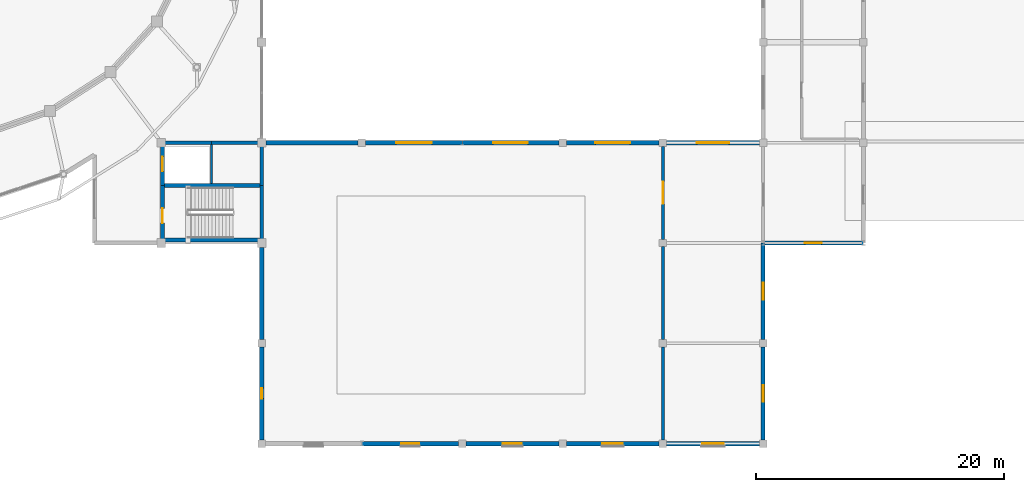
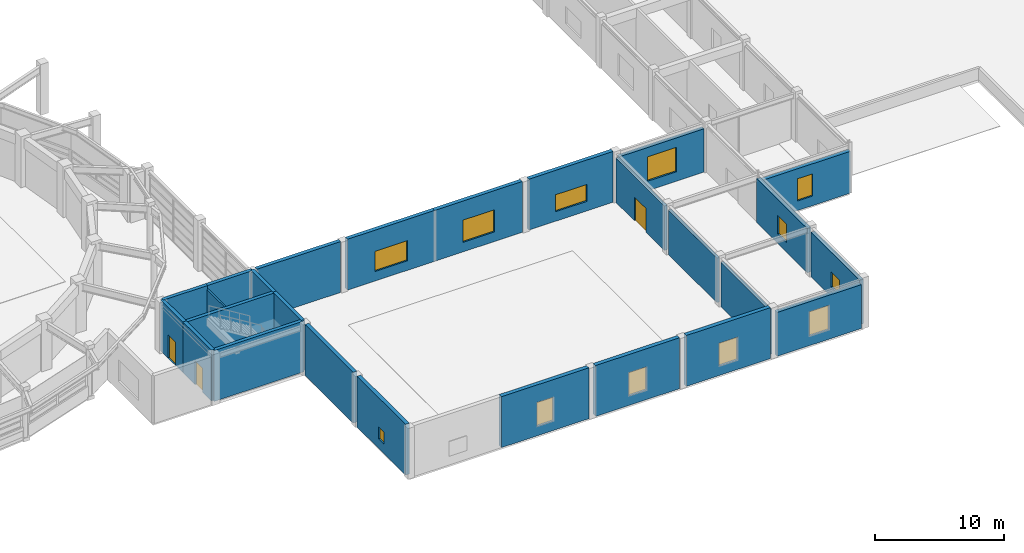
# One storey, part 37 of 56: 26 walls, 12 windows, 3 doors, 15 openings.
"""IFC4 building model written with IfcOpenShell, lengths in metres."""

from ifc_helpers import new_model, si_unit, direction, frame, frame_2d, origin, place, context, subcontext, project, spatial, rectangle, extrude, material, layer, layer_set, type_object, element, fill, save


model = new_model("IFC4")

# Units and contexts
model_context = context("Model", 3, precision=1e-05, world=origin(), true_north=direction((0.0, 1.0)))
body_context = subcontext(model_context, "Body", "Model", "MODEL_VIEW")
ifc_project = project(units=[si_unit("LENGTHUNIT", "METRE"), si_unit("AREAUNIT", "SQUARE_METRE"), si_unit("VOLUMEUNIT", "CUBIC_METRE"), si_unit("PLANEANGLEUNIT", "RADIAN"), si_unit("MASSUNIT", "GRAM", prefix="KILO")], contexts=[model_context])

# Site, building, storey
site_placement = place(None, origin())
site = spatial("IfcSite", under=ifc_project, at=site_placement, CompositionType="ELEMENT")
building_placement = place(site_placement, origin())
building = spatial("IfcBuilding", under=site, at=building_placement, Name="Parian Resonance Hall", CompositionType="ELEMENT")
storey_placement = place(building_placement, frame((0.0, 0.0, 5.39990234375)))
storey = spatial("IfcBuildingStorey", under=building, at=storey_placement, Name="L01", CompositionType="ELEMENT", Elevation=5.39990234375)

# Wall, opening, door
ifc_material_1 = material(Name="Concrete C40/50", Category="concrete")
ifc_layer_1 = layer(ifc_material_1, 0.31005859375)
ifc_layer_set_1 = layer_set([ifc_layer_1], Name="Concrete C40/50")
wall_type_1 = type_object("IfcWallType", Name="CW310", PredefinedType="SHEAR", material=ifc_layer_set_1)
wall_1_placement = place(storey_placement, frame((64.889892578125, 16.449951171875, 0.0), z_axis=(0.0, 0.0, 1.0), x_axis=(0.0, 1.0, 0.0)))
wall_1 = element("IfcWall", 1, at=wall_1_placement, inside=storey, type_object=wall_type_1, Name="Core K3 stairwell west shear wall L01", PredefinedType="SHEAR", context=body_context, shape_type="SweptSolid", body=[
    extrude(rectangle(XDim=4.400146484375, YDim=0.31005859375, at=frame_2d((2.2001953125, 0.0))), origin(), (0.0, 0.0, 1.0), 4.800048828125),
])
opening_1_placement = place(wall_1_placement, frame((1.35009765625, 0.0, 0.0)))
opening_1 = element("IfcOpeningElement", 2, at=opening_1_placement, cuts=wall_1, Name="Opening FD-01", PredefinedType="OPENING", context=body_context, shape_type="SweptSolid", body=[
    extrude(rectangle(XDim=1.199951171875, YDim=2.25, at=frame_2d((0.60009765625, 1.125))), frame((0.0, 0.1650390625, 0.0), z_axis=(0.0, -1.0, 0.0), x_axis=(1.0, 0.0, 0.0)), (0.0, 0.0, 1.0), 0.330078125),
])
ifc_material_2 = material(Name="Fire-rated acoustic steel and narra timber door", Category="steel")
door_type_1 = type_object("IfcDoorType", Name="FD-01", OperationType="NOTDEFINED", PredefinedType="DOOR", material=ifc_material_2)
door_1_placement = place(opening_1_placement, origin())
door_1 = element("IfcDoor", 3, at=door_1_placement, inside=storey, type_object=door_type_1, Name="Exit stair ST-03 fire door L01", OperationType="SINGLE_SWING_LEFT", OverallHeight=2.25, OverallWidth=1.199951171875, PredefinedType="DOOR", context=body_context, shape_type="SweptSolid", body=[
    extrude(rectangle(XDim=1.199951171875, YDim=2.25, at=frame_2d((0.60009765625, 1.125))), frame((0.0, 0.02490234375, 0.0), z_axis=(0.0, -1.0, 0.0), x_axis=(1.0, 0.0, 0.0)), (0.0, 0.0, 1.0), 0.050048828125),
])
fill(opening_1, door_1)

wall_2_placement = place(storey_placement, frame((64.889892578125, 20.85009765625, 0.0), z_axis=(0.0, 0.0, 1.0), x_axis=(0.0, 1.0, 0.0)))
wall_2 = element("IfcWall", 4, at=wall_2_placement, inside=storey, type_object=wall_type_1, Name="Core K3 lift shaft west shear wall L01", PredefinedType="SHEAR", context=body_context, shape_type="SweptSolid", body=[
    extrude(rectangle(XDim=3.449951171875, YDim=0.31005859375, at=frame_2d((1.72509765625, 0.0))), origin(), (0.0, 0.0, 1.0), 4.800048828125),
])
opening_2_placement = place(wall_2_placement, frame((1.125, 0.0, 0.0)))
opening_2 = element("IfcOpeningElement", 5, at=opening_2_placement, cuts=wall_2, Name="Opening LD-01", PredefinedType="OPENING", context=body_context, shape_type="SweptSolid", body=[
    extrude(rectangle(XDim=1.199951171875, YDim=2.199951171875, at=frame_2d((0.60009765625, 1.10009765625))), frame((0.0, 0.1650390625, 0.0), z_axis=(0.0, -1.0, 0.0), x_axis=(1.0, 0.0, 0.0)), (0.0, 0.0, 1.0), 0.330078125),
])
ifc_material_3 = material(Name="Stainless steel and bronze elevator cab", Category="steel")
door_type_2 = type_object("IfcDoorType", Name="DOOR-LIFT-1200x2200", OperationType="SLIDING_TO_LEFT", PredefinedType="DOOR", material=ifc_material_3)
door_2_placement = place(opening_2_placement, origin())
door_2 = element("IfcDoor", 6, at=door_2_placement, inside=storey, type_object=door_type_2, Name="Lift LF-04 sliding landing door L01", OperationType="SLIDING_TO_LEFT", OverallHeight=2.199951171875, OverallWidth=1.199951171875, PredefinedType="DOOR", context=body_context, shape_type="SweptSolid", body=[
    extrude(rectangle(XDim=1.199951171875, YDim=2.199951171875, at=frame_2d((0.60009765625, 1.10009765625))), frame((0.0, 0.02490234375, 0.0), z_axis=(0.0, -1.0, 0.0), x_axis=(1.0, 0.0, 0.0)), (0.0, 0.0, 1.0), 0.050048828125),
])
fill(opening_2, door_2)

# Walls
wall_3_placement = place(storey_placement, frame((64.889892578125, 24.300048828125, 0.0), z_axis=(0.0, 0.0, 1.0), x_axis=(1.0, 0.0, 0.0)))
element("IfcWall", 7, at=wall_3_placement, inside=storey, type_object=wall_type_1, Name="Core K3 north-west shaft wall L01", PredefinedType="SHEAR", context=body_context, shape_type="SweptSolid", body=[
    extrude(rectangle(XDim=3.960205078125, YDim=0.31005859375, at=frame_2d((1.97998046875, 0.0))), origin(), (0.0, 0.0, 1.0), 4.800048828125),
])
wall_4_placement = place(storey_placement, frame((68.85009765625, 24.300048828125, 0.0), z_axis=(0.0, 0.0, 1.0), x_axis=(1.0, 0.0, 0.0)))
element("IfcWall", 8, at=wall_4_placement, inside=storey, type_object=wall_type_1, Name="Core K3 north-east shaft wall L01", PredefinedType="SHEAR", context=body_context, shape_type="SweptSolid", body=[
    extrude(rectangle(XDim=4.059814453125, YDim=0.31005859375, at=frame_2d((2.02978515625, 0.0))), origin(), (0.0, 0.0, 1.0), 4.800048828125),
])
wall_5_placement = place(storey_placement, frame((72.909912109375, 24.300048828125, 0.0), z_axis=(0.0, 0.0, 1.0), x_axis=(0.0, -1.0, 0.0)))
element("IfcWall", 9, at=wall_5_placement, inside=storey, type_object=wall_type_1, Name="Core K3 east shaft wall L01", PredefinedType="SHEAR", context=body_context, shape_type="SweptSolid", body=[
    extrude(rectangle(XDim=3.449951171875, YDim=0.31005859375, at=frame_2d((1.72509765625, 0.0))), origin(), (0.0, 0.0, 1.0), 4.800048828125),
])
wall_6_placement = place(storey_placement, frame((72.909912109375, 20.85009765625, 0.0), z_axis=(0.0, 0.0, 1.0), x_axis=(0.0, -1.0, 0.0)))
element("IfcWall", 10, at=wall_6_placement, inside=storey, type_object=wall_type_1, Name="Core K3 stairwell east wall L01", PredefinedType="SHEAR", context=body_context, shape_type="SweptSolid", body=[
    extrude(rectangle(XDim=4.400146484375, YDim=0.31005859375, at=frame_2d((2.2001953125, 0.0))), origin(), (0.0, 0.0, 1.0), 4.800048828125),
])
for number, where, z_axis, x_axis, name in (
    (11, (72.909912109375, 16.449951171875, 0.0), (0.0, 0.0, 1.0), (-1.0, 0.0, 0.0), "Core K3 stairwell south wall L01"),
    (12, (64.889892578125, 20.85009765625, 0.0), (0.0, 0.0, 1.0), (1.0, 0.0, 0.0), "Core K3 stair-lift divider wall L01"),
):
    element("IfcWall", number, at=place(storey_placement, frame(where, z_axis=z_axis, x_axis=x_axis)), inside=storey, type_object=wall_type_1, Name=name, PredefinedType="SHEAR", context=body_context, shape_type="SweptSolid", body=[
        extrude(rectangle(XDim=8.02001953125, YDim=0.31005859375, at=frame_2d((4.010009765625, 0.0))), origin(), (0.0, 0.0, 1.0), 4.800048828125),
    ])

# Wall, opening, window
ifc_material_4 = material(Name="Concrete C35/45 with Carcar coral-limestone ashlar", Category="masonry")
ifc_layer_2 = layer(ifc_material_4, 0.340087890625)
ifc_layer_set_2 = layer_set([ifc_layer_2], Name="Concrete C35/45 with Carcar coral-limestone ashlar")
wall_type_2 = type_object("IfcWallType", Name="EW-STONE-340", PredefinedType="SOLIDWALL", material=ifc_layer_set_2)
wall_7_placement = place(storey_placement, frame((113.39990234375, 0.300048828125, 0.0), z_axis=(0.0, 0.0, 1.0), x_axis=(0.0, 1.0, 0.0)))
wall_7 = element("IfcWall", 13, at=wall_7_placement, inside=storey, type_object=wall_type_2, Name="Perimeter closure wall L01", PredefinedType="SOLIDWALL", context=body_context, shape_type="SweptSolid", body=[
    extrude(rectangle(XDim=7.5, YDim=0.340087890625, at=frame_2d((3.75, 0.0))), origin(), (0.0, 0.0, 1.0), 4.197021484375),
])
opening_3_placement = place(wall_7_placement, frame((3.074951171875, 0.0, 0.89990234375)))
opening_3 = element("IfcOpeningElement", 14, at=opening_3_placement, cuts=wall_7, Name="Opening WN-17", PredefinedType="OPENING", context=body_context, shape_type="SweptSolid", body=[
    extrude(rectangle(XDim=1.35009765625, YDim=1.449951171875, at=frame_2d((0.675048828125, 0.72509765625))), frame((0.0, 0.179931640625, 0.0), z_axis=(0.0, -1.0, 0.0), x_axis=(1.0, 0.0, 0.0)), (0.0, 0.0, 1.0), 0.360107421875),
])
ifc_material_5 = material(Name="Acoustic laminated double glazing", Category="glass")
window_type_1 = type_object("IfcWindowType", Name="WIN-1350x1450", PartitioningType="SINGLE_PANEL", PredefinedType="WINDOW", material=ifc_material_5)
window_1_placement = place(opening_3_placement, origin())
window_1 = element("IfcWindow", 15, at=window_1_placement, inside=storey, type_object=window_type_1, Name="Acoustic window L01-0056", OverallHeight=1.449951171875, OverallWidth=1.35009765625, PartitioningType="SINGLE_PANEL", PredefinedType="WINDOW", context=body_context, shape_type="SweptSolid", body=[
    extrude(rectangle(XDim=1.35009765625, YDim=1.449951171875, at=frame_2d((0.675048828125, 0.72509765625))), frame((0.0, 0.030029296875, 0.0), z_axis=(0.0, -1.0, 0.0), x_axis=(1.0, 0.0, 0.0)), (0.0, 0.0, 1.0), 0.06005859375),
])
fill(opening_3, window_1)

wall_8_placement = place(storey_placement, frame((113.39990234375, 8.39990234375, 0.0), z_axis=(0.0, 0.0, 1.0), x_axis=(0.0, 1.0, 0.0)))
wall_8 = element("IfcWall", 16, at=wall_8_placement, inside=storey, type_object=wall_type_2, Name="Perimeter closure wall L01", PredefinedType="SOLIDWALL", context=body_context, shape_type="SweptSolid", body=[
    extrude(rectangle(XDim=7.800048828125, YDim=0.340087890625, at=frame_2d((3.89990234375, 0.0))), origin(), (0.0, 0.0, 1.0), 4.1669921875),
])
opening_4_placement = place(wall_8_placement, frame((3.22509765625, 0.0, 0.89990234375)))
opening_4 = element("IfcOpeningElement", 17, at=opening_4_placement, cuts=wall_8, Name="Opening WN-18", PredefinedType="OPENING", context=body_context, shape_type="SweptSolid", body=[
    extrude(rectangle(XDim=1.35009765625, YDim=1.75, at=frame_2d((0.675048828125, 0.875))), frame((0.0, 0.179931640625, 0.0), z_axis=(0.0, -1.0, 0.0), x_axis=(1.0, 0.0, 0.0)), (0.0, 0.0, 1.0), 0.360107421875),
])
ifc_material_6 = material(Name="Acoustic laminated double glazing", Category="glass")
window_type_2 = type_object("IfcWindowType", Name="WIN-1350x1750", PartitioningType="SINGLE_PANEL", PredefinedType="WINDOW", material=ifc_material_6)
window_2_placement = place(opening_4_placement, origin())
window_2 = element("IfcWindow", 18, at=window_2_placement, inside=storey, type_object=window_type_2, Name="Acoustic window L01-0057", OverallHeight=1.75, OverallWidth=1.35009765625, PartitioningType="SINGLE_PANEL", PredefinedType="WINDOW", context=body_context, shape_type="SweptSolid", body=[
    extrude(rectangle(XDim=1.35009765625, YDim=1.75, at=frame_2d((0.675048828125, 0.875))), frame((0.0, 0.030029296875, 0.0), z_axis=(0.0, -1.0, 0.0), x_axis=(1.0, 0.0, 0.0)), (0.0, 0.0, 1.0), 0.06005859375),
])
fill(opening_4, window_2)

wall_9_placement = place(storey_placement, frame((113.39990234375, 16.199951171875, 0.0), z_axis=(0.0, 0.0, 1.0), x_axis=(1.0, 0.0, 0.0)))
wall_9 = element("IfcWall", 19, at=wall_9_placement, inside=storey, type_object=wall_type_2, Name="Perimeter closure wall L01", PredefinedType="SOLIDWALL", context=body_context, shape_type="SweptSolid", body=[
    extrude(rectangle(XDim=8.10009765625, YDim=0.340087890625, at=frame_2d((4.050048828125, 0.0))), origin(), (0.0, 0.0, 1.0), 3.946044921875),
])
opening_5_placement = place(wall_9_placement, frame((3.375, 0.0, 0.89990234375)))
opening_5 = element("IfcOpeningElement", 20, at=opening_5_placement, cuts=wall_9, Name="Opening WN-19", PredefinedType="OPENING", context=body_context, shape_type="SweptSolid", body=[
    extrude(rectangle(XDim=1.35009765625, YDim=2.10009765625, at=frame_2d((0.675048828125, 1.050048828125))), frame((0.0, 0.179931640625, 0.0), z_axis=(0.0, -1.0, 0.0), x_axis=(1.0, 0.0, 0.0)), (0.0, 0.0, 1.0), 0.360107421875),
])
ifc_material_7 = material(Name="Acoustic laminated double glazing", Category="glass")
window_type_3 = type_object("IfcWindowType", Name="WIN-1350x2100", PartitioningType="SINGLE_PANEL", PredefinedType="WINDOW", material=ifc_material_7)
window_3_placement = place(opening_5_placement, origin())
window_3 = element("IfcWindow", 21, at=window_3_placement, inside=storey, type_object=window_type_3, Name="Acoustic window L01-0058", OverallHeight=2.10009765625, OverallWidth=1.35009765625, PartitioningType="SINGLE_PANEL", PredefinedType="WINDOW", context=body_context, shape_type="SweptSolid", body=[
    extrude(rectangle(XDim=1.35009765625, YDim=2.10009765625, at=frame_2d((0.675048828125, 1.050048828125))), frame((0.0, 0.030029296875, 0.0), z_axis=(0.0, -1.0, 0.0), x_axis=(1.0, 0.0, 0.0)), (0.0, 0.0, 1.0), 0.06005859375),
])
fill(opening_5, window_3)

wall_10_placement = place(storey_placement, frame((113.10009765625, 24.300048828125, 0.0), z_axis=(0.0, 0.0, 1.0), x_axis=(-1.0, 0.0, 0.0)))
wall_10 = element("IfcWall", 22, at=wall_10_placement, inside=storey, type_object=wall_type_2, Name="Perimeter closure wall L01", PredefinedType="SOLIDWALL", context=body_context, shape_type="SweptSolid", body=[
    extrude(rectangle(XDim=7.5, YDim=0.340087890625, at=frame_2d((3.75, 0.0))), origin(), (0.0, 0.0, 1.0), 4.085205078125),
])
opening_6_placement = place(wall_10_placement, frame((2.449951171875, 0.0, 0.89990234375)))
opening_6 = element("IfcOpeningElement", 23, at=opening_6_placement, cuts=wall_10, Name="Opening WN-45", PredefinedType="OPENING", context=body_context, shape_type="SweptSolid", body=[
    extrude(rectangle(XDim=2.60009765625, YDim=2.300048828125, at=frame_2d((1.300048828125, 1.14990234375))), frame((0.0, 0.179931640625, 0.0), z_axis=(0.0, -1.0, 0.0), x_axis=(1.0, 0.0, 0.0)), (0.0, 0.0, 1.0), 0.360107421875),
])
ifc_material_8 = material(Name="Acoustic laminated double glazing", Category="glass")
window_type_4 = type_object("IfcWindowType", Name="WIN-2600x2300", PartitioningType="SINGLE_PANEL", PredefinedType="WINDOW", material=ifc_material_8)
window_4_placement = place(opening_6_placement, origin())
window_4 = element("IfcWindow", 24, at=window_4_placement, inside=storey, type_object=window_type_4, Name="Acoustic window L01-0077", OverallHeight=2.300048828125, OverallWidth=2.60009765625, PartitioningType="SINGLE_PANEL", PredefinedType="WINDOW", context=body_context, shape_type="SweptSolid", body=[
    extrude(rectangle(XDim=2.60009765625, YDim=2.300048828125, at=frame_2d((1.300048828125, 1.14990234375))), frame((0.0, 0.030029296875, 0.0), z_axis=(0.0, -1.0, 0.0), x_axis=(1.0, 0.0, 0.0)), (0.0, 0.0, 1.0), 0.06005859375),
])
fill(opening_6, window_4)

wall_11_placement = place(storey_placement, frame((105.0, 24.300048828125, 0.0), z_axis=(0.0, 0.0, 1.0), x_axis=(-1.0, 0.0, 0.0)))
wall_11 = element("IfcWall", 25, at=wall_11_placement, inside=storey, type_object=wall_type_2, Name="Perimeter closure wall L01", PredefinedType="SOLIDWALL", context=body_context, shape_type="SweptSolid", body=[
    extrude(rectangle(XDim=7.5, YDim=0.340087890625, at=frame_2d((3.75, 0.0))), origin(), (0.0, 0.0, 1.0), 4.800048828125),
])
opening_7_placement = place(wall_11_placement, frame((2.35009765625, 0.0, 0.89990234375)))
opening_7 = element("IfcOpeningElement", 26, at=opening_7_placement, cuts=wall_11, Name="Opening WN-46", PredefinedType="OPENING", context=body_context, shape_type="SweptSolid", body=[
    extrude(rectangle(XDim=2.800048828125, YDim=1.60009765625, at=frame_2d((1.39990234375, 0.800048828125))), frame((0.0, 0.179931640625, 0.0), z_axis=(0.0, -1.0, 0.0), x_axis=(1.0, 0.0, 0.0)), (0.0, 0.0, 1.0), 0.360107421875),
])
ifc_material_9 = material(Name="Acoustic laminated double glazing", Category="glass")
window_type_5 = type_object("IfcWindowType", Name="WIN-2800x1600", PartitioningType="SINGLE_PANEL", PredefinedType="WINDOW", material=ifc_material_9)
window_5_placement = place(opening_7_placement, origin())
window_5 = element("IfcWindow", 27, at=window_5_placement, inside=storey, type_object=window_type_5, Name="Acoustic window L01-0078", OverallHeight=1.60009765625, OverallWidth=2.800048828125, PartitioningType="SINGLE_PANEL", PredefinedType="WINDOW", context=body_context, shape_type="SweptSolid", body=[
    extrude(rectangle(XDim=2.800048828125, YDim=1.60009765625, at=frame_2d((1.39990234375, 0.800048828125))), frame((0.0, 0.030029296875, 0.0), z_axis=(0.0, -1.0, 0.0), x_axis=(1.0, 0.0, 0.0)), (0.0, 0.0, 1.0), 0.06005859375),
])
fill(opening_7, window_5)

wall_12_placement = place(storey_placement, frame((96.89990234375, 24.300048828125, 0.0), z_axis=(0.0, 0.0, 1.0), x_axis=(-1.0, 0.0, 0.0)))
wall_12 = element("IfcWall", 28, at=wall_12_placement, inside=storey, type_object=wall_type_2, Name="Perimeter closure wall L01", PredefinedType="SOLIDWALL", context=body_context, shape_type="SweptSolid", body=[
    extrude(rectangle(XDim=7.7998046875, YDim=0.340087890625, at=frame_2d((3.89990234375, 0.0))), origin(), (0.0, 0.0, 1.0), 4.800048828125),
])
opening_8_placement = place(wall_12_placement, frame((2.5, 0.0, 0.89990234375)))
opening_8 = element("IfcOpeningElement", 29, at=opening_8_placement, cuts=wall_12, Name="Opening WN-47", PredefinedType="OPENING", context=body_context, shape_type="SweptSolid", body=[
    extrude(rectangle(XDim=2.800048828125, YDim=2.10009765625, at=frame_2d((1.39990234375, 1.050048828125))), frame((0.0, 0.179931640625, 0.0), z_axis=(0.0, -1.0, 0.0), x_axis=(1.0, 0.0, 0.0)), (0.0, 0.0, 1.0), 0.360107421875),
])
ifc_material_10 = material(Name="Acoustic laminated double glazing", Category="glass")
window_type_6 = type_object("IfcWindowType", Name="WIN-2800x2100", PartitioningType="SINGLE_PANEL", PredefinedType="WINDOW", material=ifc_material_10)
window_6_placement = place(opening_8_placement, origin())
window_6 = element("IfcWindow", 30, at=window_6_placement, inside=storey, type_object=window_type_6, Name="Acoustic window L01-0079", OverallHeight=2.10009765625, OverallWidth=2.800048828125, PartitioningType="SINGLE_PANEL", PredefinedType="WINDOW", context=body_context, shape_type="SweptSolid", body=[
    extrude(rectangle(XDim=2.800048828125, YDim=2.10009765625, at=frame_2d((1.39990234375, 1.050048828125))), frame((0.0, 0.030029296875, 0.0), z_axis=(0.0, -1.0, 0.0), x_axis=(1.0, 0.0, 0.0)), (0.0, 0.0, 1.0), 0.06005859375),
])
fill(opening_8, window_6)

wall_13_placement = place(storey_placement, frame((89.10009765625, 24.300048828125, 0.0), z_axis=(0.0, 0.0, 1.0), x_axis=(-1.0, 0.0, 0.0)))
wall_13 = element("IfcWall", 31, at=wall_13_placement, inside=storey, type_object=wall_type_2, Name="Perimeter closure wall L01", PredefinedType="SOLIDWALL", context=body_context, shape_type="SweptSolid", body=[
    extrude(rectangle(XDim=7.800048828125, YDim=0.340087890625, at=frame_2d((3.89990234375, 0.0))), origin(), (0.0, 0.0, 1.0), 4.800048828125),
])
opening_9_placement = place(wall_13_placement, frame((2.449951171875, 0.0, 0.89990234375)))
opening_9 = element("IfcOpeningElement", 32, at=opening_9_placement, cuts=wall_13, Name="Opening WN-48", PredefinedType="OPENING", context=body_context, shape_type="SweptSolid", body=[
    extrude(rectangle(XDim=2.89990234375, YDim=1.89990234375, at=frame_2d((1.449951171875, 0.949951171875))), frame((0.0, 0.179931640625, 0.0), z_axis=(0.0, -1.0, 0.0), x_axis=(1.0, 0.0, 0.0)), (0.0, 0.0, 1.0), 0.360107421875),
])
ifc_material_11 = material(Name="Acoustic laminated double glazing", Category="glass")
window_type_7 = type_object("IfcWindowType", Name="WIN-2900x1900", PartitioningType="SINGLE_PANEL", PredefinedType="WINDOW", material=ifc_material_11)
window_7_placement = place(opening_9_placement, origin())
window_7 = element("IfcWindow", 33, at=window_7_placement, inside=storey, type_object=window_type_7, Name="Acoustic window L01-0080", OverallHeight=1.89990234375, OverallWidth=2.89990234375, PartitioningType="SINGLE_PANEL", PredefinedType="WINDOW", context=body_context, shape_type="SweptSolid", body=[
    extrude(rectangle(XDim=2.89990234375, YDim=1.89990234375, at=frame_2d((1.449951171875, 0.949951171875))), frame((0.0, 0.030029296875, 0.0), z_axis=(0.0, -1.0, 0.0), x_axis=(1.0, 0.0, 0.0)), (0.0, 0.0, 1.0), 0.06005859375),
])
fill(opening_9, window_7)

# Walls
wall_14_placement = place(storey_placement, frame((80.699951171875, 24.300048828125, 0.0), z_axis=(0.0, 0.0, 1.0), x_axis=(-1.0, 0.0, 0.0)))
element("IfcWall", 34, at=wall_14_placement, inside=storey, type_object=wall_type_2, Name="Perimeter closure wall L01", PredefinedType="SOLIDWALL", context=body_context, shape_type="SweptSolid", body=[
    extrude(rectangle(XDim=7.449951171875, YDim=0.340087890625, at=frame_2d((3.72509765625, 0.0))), origin(), (0.0, 0.0, 1.0), 4.800048828125),
])
wall_15_placement = place(storey_placement, frame((72.89990234375, 15.85009765625, 0.0), z_axis=(0.0, 0.0, 1.0), x_axis=(0.0, -1.0, 0.0)))
element("IfcWall", 35, at=wall_15_placement, inside=storey, type_object=wall_type_2, Name="Perimeter closure wall L01", PredefinedType="SOLIDWALL", context=body_context, shape_type="SweptSolid", body=[
    extrude(rectangle(XDim=7.4501953125, YDim=0.340087890625, at=frame_2d((3.72509765625, 0.0))), origin(), (0.0, 0.0, 1.0), 4.800048828125),
])

# Wall, opening, window
wall_16_placement = place(storey_placement, frame((72.89990234375, 7.800048828125, 0.0), z_axis=(0.0, 0.0, 1.0), x_axis=(0.0, -1.0, 0.0)))
wall_16 = element("IfcWall", 36, at=wall_16_placement, inside=storey, type_object=wall_type_2, Name="Perimeter closure wall L01", PredefinedType="SOLIDWALL", context=body_context, shape_type="SweptSolid", body=[
    extrude(rectangle(XDim=7.5, YDim=0.340087890625, at=frame_2d((3.75, 0.0))), origin(), (0.0, 0.0, 1.0), 4.800048828125),
])
opening_10_placement = place(wall_16_placement, frame((3.324951171875, 0.0, 0.89990234375)))
opening_10 = element("IfcOpeningElement", 37, at=opening_10_placement, cuts=wall_16, Name="Opening WN-01", PredefinedType="OPENING", context=body_context, shape_type="SweptSolid", body=[
    extrude(rectangle(XDim=0.85009765625, YDim=1.14990234375, at=frame_2d((0.425048828125, 0.574951171875))), frame((0.0, 0.179931640625, 0.0), z_axis=(0.0, -1.0, 0.0), x_axis=(1.0, 0.0, 0.0)), (0.0, 0.0, 1.0), 0.360107421875),
])
ifc_material_12 = material(Name="Acoustic laminated double glazing", Category="glass")
window_type_8 = type_object("IfcWindowType", Name="WIN-850x1150", PartitioningType="SINGLE_PANEL", PredefinedType="WINDOW", material=ifc_material_12)
window_8_placement = place(opening_10_placement, origin())
window_8 = element("IfcWindow", 38, at=window_8_placement, inside=storey, type_object=window_type_8, Name="Acoustic window L01-0082", OverallHeight=1.14990234375, OverallWidth=0.85009765625, PartitioningType="SINGLE_PANEL", PredefinedType="WINDOW", context=body_context, shape_type="SweptSolid", body=[
    extrude(rectangle(XDim=0.85009765625, YDim=1.14990234375, at=frame_2d((0.425048828125, 0.574951171875))), frame((0.0, 0.030029296875, 0.0), z_axis=(0.0, -1.0, 0.0), x_axis=(1.0, 0.0, 0.0)), (0.0, 0.0, 1.0), 0.06005859375),
])
fill(opening_10, window_8)

ifc_material_13 = material(Name="Concrete C35/45 with Carcar coral-limestone ashlar", Category="masonry")
ifc_layer_3 = layer(ifc_material_13, 0.360107421875)
ifc_layer_set_3 = layer_set([ifc_layer_3], Name="Concrete C35/45 with Carcar coral-limestone ashlar")
wall_type_3 = type_object("IfcWallType", Name="EW-STONE-360", PredefinedType="SOLIDWALL", material=ifc_layer_set_3)
wall_17_placement = place(storey_placement, frame((88.800048828125, 0.0, 0.0), z_axis=(0.0, 0.0, 1.0), x_axis=(-1.0, 0.0, 0.0)))
wall_17 = element("IfcWall", 39, at=wall_17_placement, inside=storey, type_object=wall_type_3, Name="Exterior wall EW-L01-0129", PredefinedType="SOLIDWALL", context=body_context, shape_type="SweptSolid", body=[
    extrude(rectangle(XDim=7.800048828125, YDim=0.360107421875, at=frame_2d((3.89990234375, 0.0))), origin(), (0.0, 0.0, 1.0), 4.800048828125),
])
opening_11_placement = place(wall_17_placement, frame((3.175048828125, 0.0, 0.89990234375)))
opening_11 = element("IfcOpeningElement", 40, at=opening_11_placement, cuts=wall_17, Name="Opening WN-23", PredefinedType="OPENING", context=body_context, shape_type="SweptSolid", body=[
    extrude(rectangle(XDim=1.449951171875, YDim=2.25, at=frame_2d((0.72509765625, 1.125))), frame((0.0, 0.18994140625, 0.0), z_axis=(0.0, -1.0, 0.0), x_axis=(1.0, 0.0, 0.0)), (0.0, 0.0, 1.0), 0.380126953125),
])
ifc_material_14 = material(Name="Acoustic laminated double glazing", Category="glass")
window_type_9 = type_object("IfcWindowType", Name="WIN-1450x2250", PartitioningType="SINGLE_PANEL", PredefinedType="WINDOW", material=ifc_material_14)
window_9_placement = place(opening_11_placement, origin())
window_9 = element("IfcWindow", 41, at=window_9_placement, inside=storey, type_object=window_type_9, Name="Acoustic window L01-0021", OverallHeight=2.25, OverallWidth=1.449951171875, PartitioningType="SINGLE_PANEL", PredefinedType="WINDOW", context=body_context, shape_type="SweptSolid", body=[
    extrude(rectangle(XDim=1.449951171875, YDim=2.25, at=frame_2d((0.72509765625, 1.125))), frame((0.0, 0.030029296875, 0.0), z_axis=(0.0, -1.0, 0.0), x_axis=(1.0, 0.0, 0.0)), (0.0, 0.0, 1.0), 0.06005859375),
])
fill(opening_11, window_9)

wall_18_placement = place(storey_placement, frame((96.89990234375, 0.0, 0.0), z_axis=(0.0, 0.0, 1.0), x_axis=(-1.0, 0.0, 0.0)))
wall_18 = element("IfcWall", 42, at=wall_18_placement, inside=storey, type_object=wall_type_3, Name="Exterior wall EW-L01-0132", PredefinedType="SOLIDWALL", context=body_context, shape_type="SweptSolid", body=[
    extrude(rectangle(XDim=7.5, YDim=0.360107421875, at=frame_2d((3.75, 0.0))), origin(), (0.0, 0.0, 1.0), 4.800048828125),
])
opening_12_placement = place(wall_18_placement, frame((2.97509765625, 0.0, 0.89990234375)))
opening_12 = element("IfcOpeningElement", 43, at=opening_12_placement, cuts=wall_18, Name="Opening WN-26", PredefinedType="OPENING", context=body_context, shape_type="SweptSolid", body=[
    extrude(rectangle(XDim=1.550048828125, YDim=2.199951171875, at=frame_2d((0.77490234375, 1.10009765625))), frame((0.0, 0.18994140625, 0.0), z_axis=(0.0, -1.0, 0.0), x_axis=(1.0, 0.0, 0.0)), (0.0, 0.0, 1.0), 0.380126953125),
])
ifc_material_15 = material(Name="Acoustic laminated double glazing", Category="glass")
window_type_10 = type_object("IfcWindowType", Name="WIN-1550x2200", PartitioningType="SINGLE_PANEL", PredefinedType="WINDOW", material=ifc_material_15)
window_10_placement = place(opening_12_placement, origin())
window_10 = element("IfcWindow", 44, at=window_10_placement, inside=storey, type_object=window_type_10, Name="Acoustic window L01-0024", OverallHeight=2.199951171875, OverallWidth=1.550048828125, PartitioningType="SINGLE_PANEL", PredefinedType="WINDOW", context=body_context, shape_type="SweptSolid", body=[
    extrude(rectangle(XDim=1.550048828125, YDim=2.199951171875, at=frame_2d((0.77490234375, 1.10009765625))), frame((0.0, 0.030029296875, 0.0), z_axis=(0.0, -1.0, 0.0), x_axis=(1.0, 0.0, 0.0)), (0.0, 0.0, 1.0), 0.06005859375),
])
fill(opening_12, window_10)

wall_19_placement = place(storey_placement, frame((105.0, 0.0, 0.0), z_axis=(0.0, 0.0, 1.0), x_axis=(-1.0, 0.0, 0.0)))
wall_19 = element("IfcWall", 45, at=wall_19_placement, inside=storey, type_object=wall_type_3, Name="Exterior wall EW-L01-0136", PredefinedType="SOLIDWALL", context=body_context, shape_type="SweptSolid", body=[
    extrude(rectangle(XDim=7.5, YDim=0.360107421875, at=frame_2d((3.75, 0.0))), origin(), (0.0, 0.0, 1.0), 4.800048828125),
])
opening_13_placement = place(wall_19_placement, frame((2.925048828125, 0.0, 0.89990234375)))
opening_13 = element("IfcOpeningElement", 46, at=opening_13_placement, cuts=wall_19, Name="Opening WN-29", PredefinedType="OPENING", context=body_context, shape_type="SweptSolid", body=[
    extrude(rectangle(XDim=1.64990234375, YDim=2.14990234375, at=frame_2d((0.824951171875, 1.074951171875))), frame((0.0, 0.18994140625, 0.0), z_axis=(0.0, -1.0, 0.0), x_axis=(1.0, 0.0, 0.0)), (0.0, 0.0, 1.0), 0.380126953125),
])
ifc_material_16 = material(Name="Acoustic laminated double glazing", Category="glass")
window_type_11 = type_object("IfcWindowType", Name="WIN-1650x2150", PartitioningType="SINGLE_PANEL", PredefinedType="WINDOW", material=ifc_material_16)
window_11_placement = place(opening_13_placement, origin())
window_11 = element("IfcWindow", 47, at=window_11_placement, inside=storey, type_object=window_type_11, Name="Acoustic window L01-0027", OverallHeight=2.14990234375, OverallWidth=1.64990234375, PartitioningType="SINGLE_PANEL", PredefinedType="WINDOW", context=body_context, shape_type="SweptSolid", body=[
    extrude(rectangle(XDim=1.64990234375, YDim=2.14990234375, at=frame_2d((0.824951171875, 1.074951171875))), frame((0.0, 0.030029296875, 0.0), z_axis=(0.0, -1.0, 0.0), x_axis=(1.0, 0.0, 0.0)), (0.0, 0.0, 1.0), 0.06005859375),
])
fill(opening_13, window_11)

wall_20_placement = place(storey_placement, frame((113.10009765625, 0.0, 0.0), z_axis=(0.0, 0.0, 1.0), x_axis=(-1.0, 0.0, 0.0)))
wall_20 = element("IfcWall", 48, at=wall_20_placement, inside=storey, type_object=wall_type_3, Name="Exterior wall EW-L01-0139", PredefinedType="SOLIDWALL", context=body_context, shape_type="SweptSolid", body=[
    extrude(rectangle(XDim=7.5, YDim=0.360107421875, at=frame_2d((3.75, 0.0))), origin(), (0.0, 0.0, 1.0), 4.13720703125),
])
opening_14_placement = place(wall_20_placement, frame((2.875, 0.0, 0.89990234375)))
opening_14 = element("IfcOpeningElement", 49, at=opening_14_placement, cuts=wall_20, Name="Opening WN-32", PredefinedType="OPENING", context=body_context, shape_type="SweptSolid", body=[
    extrude(rectangle(XDim=1.75, YDim=2.300048828125, at=frame_2d((0.875, 1.14990234375))), frame((0.0, 0.18994140625, 0.0), z_axis=(0.0, -1.0, 0.0), x_axis=(1.0, 0.0, 0.0)), (0.0, 0.0, 1.0), 0.380126953125),
])
ifc_material_17 = material(Name="Acoustic laminated double glazing", Category="glass")
window_type_12 = type_object("IfcWindowType", Name="WIN-1750x2300", PartitioningType="SINGLE_PANEL", PredefinedType="WINDOW", material=ifc_material_17)
window_12_placement = place(opening_14_placement, origin())
window_12 = element("IfcWindow", 50, at=window_12_placement, inside=storey, type_object=window_type_12, Name="Acoustic window L01-0030", OverallHeight=2.300048828125, OverallWidth=1.75, PartitioningType="SINGLE_PANEL", PredefinedType="WINDOW", context=body_context, shape_type="SweptSolid", body=[
    extrude(rectangle(XDim=1.75, YDim=2.300048828125, at=frame_2d((0.875, 1.14990234375))), frame((0.0, 0.030029296875, 0.0), z_axis=(0.0, -1.0, 0.0), x_axis=(1.0, 0.0, 0.0)), (0.0, 0.0, 1.0), 0.06005859375),
])
fill(opening_14, window_12)

# Walls
ifc_material_18 = material(Name="Concrete C35/45 fire barrier", Category="concrete")
ifc_layer_4 = layer(ifc_material_18, 0.25)
ifc_layer_set_4 = layer_set([ifc_layer_4], Name="Concrete C35/45 fire barrier")
wall_type_4 = type_object("IfcWallType", Name="HW250", PredefinedType="SOLIDWALL", material=ifc_layer_set_4)
for number, where, z_axis, x_axis, name in (
    (51, (105.300048828125, 0.300048828125, 0.0), (0.0, 0.0, 1.0), (0.0, 1.0, 0.0), "Orchestra Rehearsal Room east acoustic wall L01-1"),
    (52, (105.300048828125, 8.39990234375, 0.0), (0.0, 0.0, 1.0), (0.0, 1.0, 0.0), "Orchestra Rehearsal Room east acoustic wall L01-2"),
):
    element("IfcWall", number, at=place(storey_placement, frame(where, z_axis=z_axis, x_axis=x_axis)), inside=storey, type_object=wall_type_4, Name=name, PredefinedType="SOLIDWALL", context=body_context, shape_type="SweptSolid", body=[
        extrude(rectangle(XDim=7.5, YDim=0.25, at=frame_2d((3.75, 0.0))), origin(), (0.0, 0.0, 1.0), 4.197021484375),
    ])

# Wall, opening, door
wall_21_placement = place(storey_placement, frame((105.300048828125, 16.5, 0.0), z_axis=(0.0, 0.0, 1.0), x_axis=(0.0, 1.0, 0.0)))
wall_21 = element("IfcWall", 53, at=wall_21_placement, inside=storey, type_object=wall_type_4, Name="Orchestra Rehearsal Room east acoustic wall L01-3", PredefinedType="SOLIDWALL", context=body_context, shape_type="SweptSolid", body=[
    extrude(rectangle(XDim=7.5, YDim=0.25, at=frame_2d((3.75, 0.0))), origin(), (0.0, 0.0, 1.0), 4.197021484375),
])
opening_15_placement = place(wall_21_placement, frame((2.85009765625, 0.0, 0.0)))
opening_15 = element("IfcOpeningElement", 54, at=opening_15_placement, cuts=wall_21, Name="Opening FD-02", PredefinedType="OPENING", context=body_context, shape_type="SweptSolid", body=[
    extrude(rectangle(XDim=1.800048828125, YDim=2.25, at=frame_2d((0.89990234375, 1.125))), frame((0.0, 0.135009765625, 0.0), z_axis=(0.0, -1.0, 0.0), x_axis=(1.0, 0.0, 0.0)), (0.0, 0.0, 1.0), 0.27001953125),
])
ifc_material_19 = material(Name="Fire-rated acoustic steel and narra timber door", Category="steel")
door_type_3 = type_object("IfcDoorType", Name="FD-02", OperationType="NOTDEFINED", PredefinedType="DOOR", material=ifc_material_19)
door_3_placement = place(opening_15_placement, origin())
door_3 = element("IfcDoor", 55, at=door_3_placement, inside=storey, type_object=door_type_3, Name="Rehearsal / Folio east acoustic door L01", OperationType="DOUBLE_DOOR_SINGLE_SWING", OverallHeight=2.25, OverallWidth=1.800048828125, PredefinedType="DOOR", context=body_context, shape_type="SweptSolid", body=[
    extrude(rectangle(XDim=1.800048828125, YDim=2.25, at=frame_2d((0.89990234375, 1.125))), frame((0.0, 0.02490234375, 0.0), z_axis=(0.0, -1.0, 0.0), x_axis=(1.0, 0.0, 0.0)), (0.0, 0.0, 1.0), 0.050048828125),
])
fill(opening_15, door_3)

# Wall
ifc_material_20 = material(Name="Concrete C35/45 acoustic plumbing chase wall", Category="concrete")
ifc_layer_5 = layer(ifc_material_20, 0.14990234375)
ifc_layer_set_5 = layer_set([ifc_layer_5], Name="Concrete C35/45 acoustic plumbing chase wall")
wall_type_5 = type_object("IfcWallType", Name="PW150", PredefinedType="PLUMBINGWALL", material=ifc_layer_set_5)
wall_22_placement = place(storey_placement, frame((68.85009765625, 21.010009765625, 0.0), z_axis=(0.0, 0.0, 1.0), x_axis=(0.0, 1.0, 0.0)))
element("IfcWall", 56, at=wall_22_placement, inside=storey, type_object=wall_type_5, Name="Core K3 shaft plumbing/riser divider L01", PredefinedType="PLUMBINGWALL", context=body_context, shape_type="SweptSolid", body=[
    extrude(rectangle(XDim=3.1298828125, YDim=0.14990234375, at=frame_2d((1.56494140625, 0.0))), origin(), (0.0, 0.0, 1.0), 4.4501953125),
])

save(model, "model.ifc")
